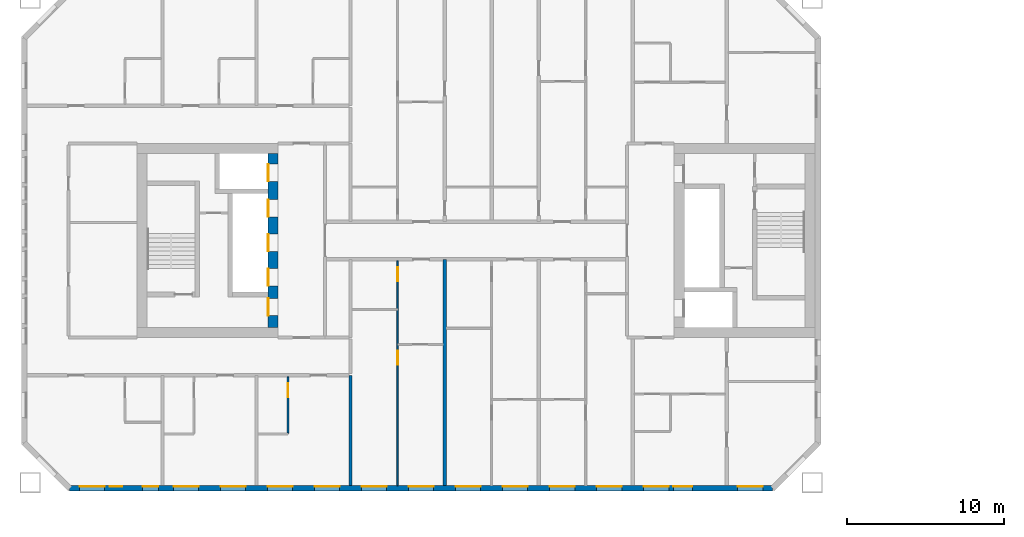
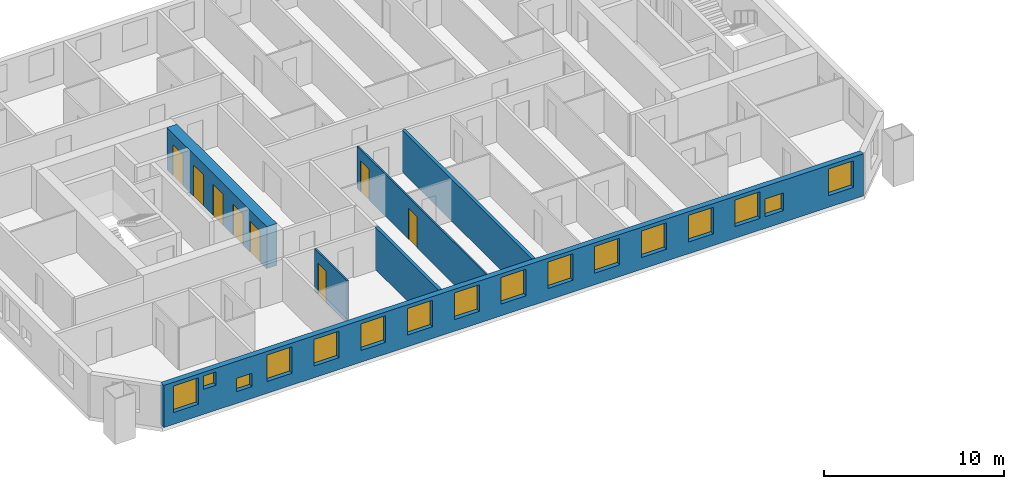
# One storey, part 3 of 17: 16 windows, 8 doors, 6 walls, 24 openings.
"""IFC4 building model written with IfcOpenShell, lengths in metres."""

from ifc_helpers import new_model, si_unit, direction, frame, frame_2d, origin, place, context, subcontext, project, spatial, rectangle, extrude, material, layer, layer_set, type_object, element, fill, save


model = new_model("IFC4")

# Units and contexts
model_context = context("Model", 3, precision=1e-05, world=origin(), true_north=direction((0.0, 1.0)))
body_context = subcontext(model_context, "Body", "Model", "MODEL_VIEW")
ifc_project = project(units=[si_unit("LENGTHUNIT", "METRE"), si_unit("AREAUNIT", "SQUARE_METRE"), si_unit("VOLUMEUNIT", "CUBIC_METRE"), si_unit("PLANEANGLEUNIT", "RADIAN"), si_unit("MASSUNIT", "GRAM", prefix="KILO")], contexts=[model_context])

# Site, building, storey
site_placement = place(None, origin())
site = spatial("IfcSite", under=ifc_project, at=site_placement, CompositionType="ELEMENT")
building_placement = place(site_placement, origin())
building = spatial("IfcBuilding", under=site, at=building_placement, Name="Tuart Gate Housing", CompositionType="ELEMENT")
storey_placement = place(building_placement, frame((0.0, 0.0, 99.5)))
storey = spatial("IfcBuildingStorey", under=building, at=storey_placement, Name="L27", CompositionType="ELEMENT", Elevation=99.5)

# Wall, openings, windows
ifc_material_1 = material(Name="Brick", Category="masonry")
ifc_layer_1 = layer(ifc_material_1, 0.360107421875)
ifc_layer_set_1 = layer_set([ifc_layer_1], Name="Brick pier and spandrel wall 360")
wall_type_1 = type_object("IfcWallType", Name="Brick pier and spandrel wall 360", PredefinedType="STANDARD", material=ifc_layer_set_1)
wall_1_placement = place(storey_placement, frame((28.07470703125, 54.179931640625, 0.0), z_axis=(0.0, 0.0, 1.0), x_axis=(1.0, 0.0, 0.0)))
wall_1 = element("IfcWall", 1, at=wall_1_placement, inside=storey, type_object=wall_type_1, Name="External wall A-S L27", PredefinedType="STANDARD", context=body_context, shape_type="SweptSolid", body=[
    extrude(rectangle(XDim=44.850830078125, YDim=0.360107421875, at=frame_2d((22.42529296875, 0.0))), origin(), (0.0, 0.0, 1.0), 2.85009765625),
])
opening_1_placement = place(wall_1_placement, frame((0.62548828125, 0.0, 0.800048828125)))
opening_1 = element("IfcOpeningElement", 2, at=opening_1_placement, cuts=wall_1, Name="Opening W1", PredefinedType="OPENING", context=body_context, shape_type="SweptSolid", body=[
    extrude(rectangle(XDim=1.60009765625, YDim=1.800048828125, at=frame_2d((0.800048828125, 0.89990234375))), frame((0.0, 0.18994140625, 0.0), z_axis=(0.0, -1.0, 0.0), x_axis=(1.0, 0.0, 0.0)), (0.0, 0.0, 1.0), 0.380126953125),
])
opening_2_placement = place(wall_1_placement, frame((2.550048828125, 0.0, 1.699951171875)))
opening_2 = element("IfcOpeningElement", 3, at=opening_2_placement, cuts=wall_1, Name="Opening W1V", PredefinedType="OPENING", context=body_context, shape_type="SweptSolid", body=[
    extrude(rectangle(XDim=0.800048828125, YDim=0.89990234375, at=frame_2d((0.39990234375, 0.449951171875))), frame((0.0, 0.18994140625, 0.0), z_axis=(0.0, -1.0, 0.0), x_axis=(1.0, 0.0, 0.0)), (0.0, 0.0, 1.0), 0.380126953125),
])
opening_3_placement = place(wall_1_placement, frame((6.62548828125, 0.0, 0.800048828125)))
opening_3 = element("IfcOpeningElement", 4, at=opening_3_placement, cuts=wall_1, Name="Opening W1", PredefinedType="OPENING", context=body_context, shape_type="SweptSolid", body=[
    extrude(rectangle(XDim=1.60009765625, YDim=1.800048828125, at=frame_2d((0.800048828125, 0.89990234375))), frame((0.0, 0.18994140625, 0.0), z_axis=(0.0, -1.0, 0.0), x_axis=(1.0, 0.0, 0.0)), (0.0, 0.0, 1.0), 0.380126953125),
])
opening_4_placement = place(wall_1_placement, frame((9.62548828125, 0.0, 0.800048828125)))
opening_4 = element("IfcOpeningElement", 5, at=opening_4_placement, cuts=wall_1, Name="Opening W1", PredefinedType="OPENING", context=body_context, shape_type="SweptSolid", body=[
    extrude(rectangle(XDim=1.60009765625, YDim=1.800048828125, at=frame_2d((0.800048828125, 0.89990234375))), frame((0.0, 0.18994140625, 0.0), z_axis=(0.0, -1.0, 0.0), x_axis=(1.0, 0.0, 0.0)), (0.0, 0.0, 1.0), 0.380126953125),
])
opening_5_placement = place(wall_1_placement, frame((12.62548828125, 0.0, 0.800048828125)))
opening_5 = element("IfcOpeningElement", 6, at=opening_5_placement, cuts=wall_1, Name="Opening W1", PredefinedType="OPENING", context=body_context, shape_type="SweptSolid", body=[
    extrude(rectangle(XDim=1.60009765625, YDim=1.800048828125, at=frame_2d((0.800048828125, 0.89990234375))), frame((0.0, 0.18994140625, 0.0), z_axis=(0.0, -1.0, 0.0), x_axis=(1.0, 0.0, 0.0)), (0.0, 0.0, 1.0), 0.380126953125),
])
opening_6_placement = place(wall_1_placement, frame((15.62548828125, 0.0, 0.800048828125)))
opening_6 = element("IfcOpeningElement", 7, at=opening_6_placement, cuts=wall_1, Name="Opening W1", PredefinedType="OPENING", context=body_context, shape_type="SweptSolid", body=[
    extrude(rectangle(XDim=1.60009765625, YDim=1.800048828125, at=frame_2d((0.800048828125, 0.89990234375))), frame((0.0, 0.18994140625, 0.0), z_axis=(0.0, -1.0, 0.0), x_axis=(1.0, 0.0, 0.0)), (0.0, 0.0, 1.0), 0.380126953125),
])
opening_7_placement = place(wall_1_placement, frame((18.62548828125, 0.0, 0.800048828125)))
opening_7 = element("IfcOpeningElement", 8, at=opening_7_placement, cuts=wall_1, Name="Opening W1", PredefinedType="OPENING", context=body_context, shape_type="SweptSolid", body=[
    extrude(rectangle(XDim=1.60009765625, YDim=1.800048828125, at=frame_2d((0.800048828125, 0.89990234375))), frame((0.0, 0.18994140625, 0.0), z_axis=(0.0, -1.0, 0.0), x_axis=(1.0, 0.0, 0.0)), (0.0, 0.0, 1.0), 0.380126953125),
])
opening_8_placement = place(wall_1_placement, frame((21.62548828125, 0.0, 0.800048828125)))
opening_8 = element("IfcOpeningElement", 9, at=opening_8_placement, cuts=wall_1, Name="Opening W1", PredefinedType="OPENING", context=body_context, shape_type="SweptSolid", body=[
    extrude(rectangle(XDim=1.60009765625, YDim=1.800048828125, at=frame_2d((0.800048828125, 0.89990234375))), frame((0.0, 0.18994140625, 0.0), z_axis=(0.0, -1.0, 0.0), x_axis=(1.0, 0.0, 0.0)), (0.0, 0.0, 1.0), 0.380126953125),
])
opening_9_placement = place(wall_1_placement, frame((24.62548828125, 0.0, 0.800048828125)))
opening_9 = element("IfcOpeningElement", 10, at=opening_9_placement, cuts=wall_1, Name="Opening W1", PredefinedType="OPENING", context=body_context, shape_type="SweptSolid", body=[
    extrude(rectangle(XDim=1.60009765625, YDim=1.800048828125, at=frame_2d((0.800048828125, 0.89990234375))), frame((0.0, 0.18994140625, 0.0), z_axis=(0.0, -1.0, 0.0), x_axis=(1.0, 0.0, 0.0)), (0.0, 0.0, 1.0), 0.380126953125),
])
opening_10_placement = place(wall_1_placement, frame((27.62548828125, 0.0, 0.800048828125)))
opening_10 = element("IfcOpeningElement", 11, at=opening_10_placement, cuts=wall_1, Name="Opening W1", PredefinedType="OPENING", context=body_context, shape_type="SweptSolid", body=[
    extrude(rectangle(XDim=1.60009765625, YDim=1.800048828125, at=frame_2d((0.800048828125, 0.89990234375))), frame((0.0, 0.18994140625, 0.0), z_axis=(0.0, -1.0, 0.0), x_axis=(1.0, 0.0, 0.0)), (0.0, 0.0, 1.0), 0.380126953125),
])
opening_11_placement = place(wall_1_placement, frame((30.62548828125, 0.0, 0.800048828125)))
opening_11 = element("IfcOpeningElement", 12, at=opening_11_placement, cuts=wall_1, Name="Opening W1", PredefinedType="OPENING", context=body_context, shape_type="SweptSolid", body=[
    extrude(rectangle(XDim=1.60009765625, YDim=1.800048828125, at=frame_2d((0.800048828125, 0.89990234375))), frame((0.0, 0.18994140625, 0.0), z_axis=(0.0, -1.0, 0.0), x_axis=(1.0, 0.0, 0.0)), (0.0, 0.0, 1.0), 0.380126953125),
])
opening_12_placement = place(wall_1_placement, frame((33.62548828125, 0.0, 0.800048828125)))
opening_12 = element("IfcOpeningElement", 13, at=opening_12_placement, cuts=wall_1, Name="Opening W1", PredefinedType="OPENING", context=body_context, shape_type="SweptSolid", body=[
    extrude(rectangle(XDim=1.60009765625, YDim=1.800048828125, at=frame_2d((0.800048828125, 0.89990234375))), frame((0.0, 0.18994140625, 0.0), z_axis=(0.0, -1.0, 0.0), x_axis=(1.0, 0.0, 0.0)), (0.0, 0.0, 1.0), 0.380126953125),
])
opening_13_placement = place(wall_1_placement, frame((36.62548828125, 0.0, 0.800048828125)))
opening_13 = element("IfcOpeningElement", 14, at=opening_13_placement, cuts=wall_1, Name="Opening W1", PredefinedType="OPENING", context=body_context, shape_type="SweptSolid", body=[
    extrude(rectangle(XDim=1.60009765625, YDim=1.800048828125, at=frame_2d((0.800048828125, 0.89990234375))), frame((0.0, 0.18994140625, 0.0), z_axis=(0.0, -1.0, 0.0), x_axis=(1.0, 0.0, 0.0)), (0.0, 0.0, 1.0), 0.380126953125),
])
opening_14_placement = place(wall_1_placement, frame((38.525390625, 0.0, 0.800048828125)))
opening_14 = element("IfcOpeningElement", 15, at=opening_14_placement, cuts=wall_1, Name="Opening W1N", PredefinedType="OPENING", context=body_context, shape_type="SweptSolid", body=[
    extrude(rectangle(XDim=1.199951171875, YDim=1.199951171875, at=frame_2d((0.60009765625, 0.60009765625))), frame((0.0, 0.18994140625, 0.0), z_axis=(0.0, -1.0, 0.0), x_axis=(1.0, 0.0, 0.0)), (0.0, 0.0, 1.0), 0.380126953125),
])
opening_15_placement = place(wall_1_placement, frame((42.62548828125, 0.0, 0.800048828125)))
opening_15 = element("IfcOpeningElement", 16, at=opening_15_placement, cuts=wall_1, Name="Opening W1", PredefinedType="OPENING", context=body_context, shape_type="SweptSolid", body=[
    extrude(rectangle(XDim=1.60009765625, YDim=1.800048828125, at=frame_2d((0.800048828125, 0.89990234375))), frame((0.0, 0.18994140625, 0.0), z_axis=(0.0, -1.0, 0.0), x_axis=(1.0, 0.0, 0.0)), (0.0, 0.0, 1.0), 0.380126953125),
])
opening_16_placement = place(wall_1_placement, frame((4.64990234375, 0.0, 0.800048828125)))
opening_16 = element("IfcOpeningElement", 17, at=opening_16_placement, cuts=wall_1, Name="Opening W1U", PredefinedType="OPENING", context=body_context, shape_type="SweptSolid", body=[
    extrude(rectangle(XDim=1.0, YDim=0.89990234375, at=frame_2d((0.5, 0.449951171875))), frame((0.0, 0.18994140625, 0.0), z_axis=(0.0, -1.0, 0.0), x_axis=(1.0, 0.0, 0.0)), (0.0, 0.0, 1.0), 0.380126953125),
])
ifc_material_2 = material(Name="Aluminium frame with clear glass", Category="aluminium")
window_type_1 = type_object("IfcWindowType", Name="Punched window 1000 x 900", PartitioningType="SINGLE_PANEL", PredefinedType="WINDOW", material=ifc_material_2)
window_1_placement = place(opening_16_placement, origin())
window_1 = element("IfcWindow", 18, at=window_1_placement, inside=storey, type_object=window_type_1, Name="Window W1U", OverallHeight=0.89990234375, OverallWidth=1.0, PartitioningType="SINGLE_PANEL", PredefinedType="WINDOW", context=body_context, shape_type="SweptSolid", body=[
    extrude(rectangle(XDim=1.0, YDim=0.89990234375, at=frame_2d((0.5, 0.449951171875))), frame((0.0, 0.150146484375, 0.0), z_axis=(0.0, -1.0, 0.0), x_axis=(1.0, 0.0, 0.0)), (0.0, 0.0, 1.0), 0.06005859375),
])
fill(opening_16, window_1)
ifc_material_3 = material(Name="Aluminium frame with clear glass", Category="aluminium")
window_type_2 = type_object("IfcWindowType", Name="Punched window 1200 x 1200", PartitioningType="SINGLE_PANEL", PredefinedType="WINDOW", material=ifc_material_3)
window_2_placement = place(opening_14_placement, origin())
window_2 = element("IfcWindow", 19, at=window_2_placement, inside=storey, type_object=window_type_2, Name="Window W1N", OverallHeight=1.199951171875, OverallWidth=1.199951171875, PartitioningType="SINGLE_PANEL", PredefinedType="WINDOW", context=body_context, shape_type="SweptSolid", body=[
    extrude(rectangle(XDim=1.199951171875, YDim=1.199951171875, at=frame_2d((0.60009765625, 0.60009765625))), frame((0.0, 0.150146484375, 0.0), z_axis=(0.0, -1.0, 0.0), x_axis=(1.0, 0.0, 0.0)), (0.0, 0.0, 1.0), 0.06005859375),
])
fill(opening_14, window_2)
ifc_material_4 = material(Name="Aluminium frame with clear glass", Category="aluminium")
window_type_3 = type_object("IfcWindowType", Name="Punched window 1600 x 1800", PartitioningType="SINGLE_PANEL", PredefinedType="WINDOW", material=ifc_material_4)
window_3_placement = place(opening_1_placement, origin())
window_3 = element("IfcWindow", 20, at=window_3_placement, inside=storey, type_object=window_type_3, Name="Window W1", OverallHeight=1.800048828125, OverallWidth=1.60009765625, PartitioningType="SINGLE_PANEL", PredefinedType="WINDOW", context=body_context, shape_type="SweptSolid", body=[
    extrude(rectangle(XDim=1.60009765625, YDim=1.800048828125, at=frame_2d((0.800048828125, 0.89990234375))), frame((0.0, 0.150146484375, 0.0), z_axis=(0.0, -1.0, 0.0), x_axis=(1.0, 0.0, 0.0)), (0.0, 0.0, 1.0), 0.06005859375),
])
fill(opening_1, window_3)
window_4_placement = place(opening_3_placement, origin())
window_4 = element("IfcWindow", 21, at=window_4_placement, inside=storey, type_object=window_type_3, Name="Window W1", OverallHeight=1.800048828125, OverallWidth=1.60009765625, PartitioningType="SINGLE_PANEL", PredefinedType="WINDOW", context=body_context, shape_type="SweptSolid", body=[
    extrude(rectangle(XDim=1.60009765625, YDim=1.800048828125, at=frame_2d((0.800048828125, 0.89990234375))), frame((0.0, 0.150146484375, 0.0), z_axis=(0.0, -1.0, 0.0), x_axis=(1.0, 0.0, 0.0)), (0.0, 0.0, 1.0), 0.06005859375),
])
fill(opening_3, window_4)
window_5_placement = place(opening_4_placement, origin())
window_5 = element("IfcWindow", 22, at=window_5_placement, inside=storey, type_object=window_type_3, Name="Window W1", OverallHeight=1.800048828125, OverallWidth=1.60009765625, PartitioningType="SINGLE_PANEL", PredefinedType="WINDOW", context=body_context, shape_type="SweptSolid", body=[
    extrude(rectangle(XDim=1.60009765625, YDim=1.800048828125, at=frame_2d((0.800048828125, 0.89990234375))), frame((0.0, 0.150146484375, 0.0), z_axis=(0.0, -1.0, 0.0), x_axis=(1.0, 0.0, 0.0)), (0.0, 0.0, 1.0), 0.06005859375),
])
fill(opening_4, window_5)
window_6_placement = place(opening_5_placement, origin())
window_6 = element("IfcWindow", 23, at=window_6_placement, inside=storey, type_object=window_type_3, Name="Window W1", OverallHeight=1.800048828125, OverallWidth=1.60009765625, PartitioningType="SINGLE_PANEL", PredefinedType="WINDOW", context=body_context, shape_type="SweptSolid", body=[
    extrude(rectangle(XDim=1.60009765625, YDim=1.800048828125, at=frame_2d((0.800048828125, 0.89990234375))), frame((0.0, 0.150146484375, 0.0), z_axis=(0.0, -1.0, 0.0), x_axis=(1.0, 0.0, 0.0)), (0.0, 0.0, 1.0), 0.06005859375),
])
fill(opening_5, window_6)
window_7_placement = place(opening_6_placement, origin())
window_7 = element("IfcWindow", 24, at=window_7_placement, inside=storey, type_object=window_type_3, Name="Window W1", OverallHeight=1.800048828125, OverallWidth=1.60009765625, PartitioningType="SINGLE_PANEL", PredefinedType="WINDOW", context=body_context, shape_type="SweptSolid", body=[
    extrude(rectangle(XDim=1.60009765625, YDim=1.800048828125, at=frame_2d((0.800048828125, 0.89990234375))), frame((0.0, 0.150146484375, 0.0), z_axis=(0.0, -1.0, 0.0), x_axis=(1.0, 0.0, 0.0)), (0.0, 0.0, 1.0), 0.06005859375),
])
fill(opening_6, window_7)
window_8_placement = place(opening_7_placement, origin())
window_8 = element("IfcWindow", 25, at=window_8_placement, inside=storey, type_object=window_type_3, Name="Window W1", OverallHeight=1.800048828125, OverallWidth=1.60009765625, PartitioningType="SINGLE_PANEL", PredefinedType="WINDOW", context=body_context, shape_type="SweptSolid", body=[
    extrude(rectangle(XDim=1.60009765625, YDim=1.800048828125, at=frame_2d((0.800048828125, 0.89990234375))), frame((0.0, 0.150146484375, 0.0), z_axis=(0.0, -1.0, 0.0), x_axis=(1.0, 0.0, 0.0)), (0.0, 0.0, 1.0), 0.06005859375),
])
fill(opening_7, window_8)
window_9_placement = place(opening_8_placement, origin())
window_9 = element("IfcWindow", 26, at=window_9_placement, inside=storey, type_object=window_type_3, Name="Window W1", OverallHeight=1.800048828125, OverallWidth=1.60009765625, PartitioningType="SINGLE_PANEL", PredefinedType="WINDOW", context=body_context, shape_type="SweptSolid", body=[
    extrude(rectangle(XDim=1.60009765625, YDim=1.800048828125, at=frame_2d((0.800048828125, 0.89990234375))), frame((0.0, 0.150146484375, 0.0), z_axis=(0.0, -1.0, 0.0), x_axis=(1.0, 0.0, 0.0)), (0.0, 0.0, 1.0), 0.06005859375),
])
fill(opening_8, window_9)
window_10_placement = place(opening_9_placement, origin())
window_10 = element("IfcWindow", 27, at=window_10_placement, inside=storey, type_object=window_type_3, Name="Window W1", OverallHeight=1.800048828125, OverallWidth=1.60009765625, PartitioningType="SINGLE_PANEL", PredefinedType="WINDOW", context=body_context, shape_type="SweptSolid", body=[
    extrude(rectangle(XDim=1.60009765625, YDim=1.800048828125, at=frame_2d((0.800048828125, 0.89990234375))), frame((0.0, 0.150146484375, 0.0), z_axis=(0.0, -1.0, 0.0), x_axis=(1.0, 0.0, 0.0)), (0.0, 0.0, 1.0), 0.06005859375),
])
fill(opening_9, window_10)
window_11_placement = place(opening_10_placement, origin())
window_11 = element("IfcWindow", 28, at=window_11_placement, inside=storey, type_object=window_type_3, Name="Window W1", OverallHeight=1.800048828125, OverallWidth=1.60009765625, PartitioningType="SINGLE_PANEL", PredefinedType="WINDOW", context=body_context, shape_type="SweptSolid", body=[
    extrude(rectangle(XDim=1.60009765625, YDim=1.800048828125, at=frame_2d((0.800048828125, 0.89990234375))), frame((0.0, 0.150146484375, 0.0), z_axis=(0.0, -1.0, 0.0), x_axis=(1.0, 0.0, 0.0)), (0.0, 0.0, 1.0), 0.06005859375),
])
fill(opening_10, window_11)
window_12_placement = place(opening_11_placement, origin())
window_12 = element("IfcWindow", 29, at=window_12_placement, inside=storey, type_object=window_type_3, Name="Window W1", OverallHeight=1.800048828125, OverallWidth=1.60009765625, PartitioningType="SINGLE_PANEL", PredefinedType="WINDOW", context=body_context, shape_type="SweptSolid", body=[
    extrude(rectangle(XDim=1.60009765625, YDim=1.800048828125, at=frame_2d((0.800048828125, 0.89990234375))), frame((0.0, 0.150146484375, 0.0), z_axis=(0.0, -1.0, 0.0), x_axis=(1.0, 0.0, 0.0)), (0.0, 0.0, 1.0), 0.06005859375),
])
fill(opening_11, window_12)
window_13_placement = place(opening_12_placement, origin())
window_13 = element("IfcWindow", 30, at=window_13_placement, inside=storey, type_object=window_type_3, Name="Window W1", OverallHeight=1.800048828125, OverallWidth=1.60009765625, PartitioningType="SINGLE_PANEL", PredefinedType="WINDOW", context=body_context, shape_type="SweptSolid", body=[
    extrude(rectangle(XDim=1.60009765625, YDim=1.800048828125, at=frame_2d((0.800048828125, 0.89990234375))), frame((0.0, 0.150146484375, 0.0), z_axis=(0.0, -1.0, 0.0), x_axis=(1.0, 0.0, 0.0)), (0.0, 0.0, 1.0), 0.06005859375),
])
fill(opening_12, window_13)
window_14_placement = place(opening_13_placement, origin())
window_14 = element("IfcWindow", 31, at=window_14_placement, inside=storey, type_object=window_type_3, Name="Window W1", OverallHeight=1.800048828125, OverallWidth=1.60009765625, PartitioningType="SINGLE_PANEL", PredefinedType="WINDOW", context=body_context, shape_type="SweptSolid", body=[
    extrude(rectangle(XDim=1.60009765625, YDim=1.800048828125, at=frame_2d((0.800048828125, 0.89990234375))), frame((0.0, 0.150146484375, 0.0), z_axis=(0.0, -1.0, 0.0), x_axis=(1.0, 0.0, 0.0)), (0.0, 0.0, 1.0), 0.06005859375),
])
fill(opening_13, window_14)
window_15_placement = place(opening_15_placement, origin())
window_15 = element("IfcWindow", 32, at=window_15_placement, inside=storey, type_object=window_type_3, Name="Window W1", OverallHeight=1.800048828125, OverallWidth=1.60009765625, PartitioningType="SINGLE_PANEL", PredefinedType="WINDOW", context=body_context, shape_type="SweptSolid", body=[
    extrude(rectangle(XDim=1.60009765625, YDim=1.800048828125, at=frame_2d((0.800048828125, 0.89990234375))), frame((0.0, 0.150146484375, 0.0), z_axis=(0.0, -1.0, 0.0), x_axis=(1.0, 0.0, 0.0)), (0.0, 0.0, 1.0), 0.06005859375),
])
fill(opening_15, window_15)
ifc_material_5 = material(Name="Aluminium frame with clear glass", Category="aluminium")
window_type_4 = type_object("IfcWindowType", Name="Punched window 800 x 900", PartitioningType="SINGLE_PANEL", PredefinedType="WINDOW", material=ifc_material_5)
window_16_placement = place(opening_2_placement, origin())
window_16 = element("IfcWindow", 33, at=window_16_placement, inside=storey, type_object=window_type_4, Name="Window W1V", OverallHeight=0.89990234375, OverallWidth=0.800048828125, PartitioningType="SINGLE_PANEL", PredefinedType="WINDOW", context=body_context, shape_type="SweptSolid", body=[
    extrude(rectangle(XDim=0.800048828125, YDim=0.89990234375, at=frame_2d((0.39990234375, 0.449951171875))), frame((0.0, 0.150146484375, 0.0), z_axis=(0.0, -1.0, 0.0), x_axis=(1.0, 0.0, 0.0)), (0.0, 0.0, 1.0), 0.06005859375),
])
fill(opening_2, window_16)

# Wall, openings, doors
ifc_material_6 = material(Name="Concrete C50", Category="concrete")
ifc_layer_2 = layer(ifc_material_6, 0.64990234375)
ifc_layer_set_2 = layer_set([ifc_layer_2], Name="Core wall 650 C50")
wall_type_2 = type_object("IfcWallType", Name="Core wall 650 C50", PredefinedType="SHEAR", material=ifc_layer_set_2)
wall_2_placement = place(storey_placement, frame((41.034912109375, 75.550048828125, 0.0), z_axis=(0.0, 0.0, 1.0), x_axis=(0.0, -1.0, 0.0)))
wall_2 = element("IfcWall", 34, at=wall_2_placement, inside=storey, type_object=wall_type_2, Name="Core wall AK front", PredefinedType="SHEAR", context=body_context, shape_type="SweptSolid", body=[
    extrude(rectangle(XDim=11.10009765625, YDim=0.64990234375, at=frame_2d((5.550048828125, 0.0))), origin(), (0.0, 0.0, 1.0), 2.85009765625),
])
opening_17_placement = place(wall_2_placement, frame((0.675048828125, 0.0, 0.0)))
opening_17 = element("IfcOpeningElement", 35, at=opening_17_placement, cuts=wall_2, Name="Opening LD-FA2", PredefinedType="OPENING", context=body_context, shape_type="SweptSolid", body=[
    extrude(rectangle(XDim=1.10009765625, YDim=2.10009765625, at=frame_2d((0.550048828125, 1.050048828125))), frame((0.0, 0.3349609375, 0.0), z_axis=(0.0, -1.0, 0.0), x_axis=(1.0, 0.0, 0.0)), (0.0, 0.0, 1.0), 0.669921875),
])
opening_18_placement = place(wall_2_placement, frame((2.949951171875, 0.0, 0.0)))
opening_18 = element("IfcOpeningElement", 36, at=opening_18_placement, cuts=wall_2, Name="Opening LD-LA4", PredefinedType="OPENING", context=body_context, shape_type="SweptSolid", body=[
    extrude(rectangle(XDim=1.10009765625, YDim=2.10009765625, at=frame_2d((0.550048828125, 1.050048828125))), frame((0.0, 0.3349609375, 0.0), z_axis=(0.0, -1.0, 0.0), x_axis=(1.0, 0.0, 0.0)), (0.0, 0.0, 1.0), 0.669921875),
])
opening_19_placement = place(wall_2_placement, frame((5.14990234375, 0.0, 0.0)))
opening_19 = element("IfcOpeningElement", 37, at=opening_19_placement, cuts=wall_2, Name="Opening LD-LA5", PredefinedType="OPENING", context=body_context, shape_type="SweptSolid", body=[
    extrude(rectangle(XDim=1.10009765625, YDim=2.10009765625, at=frame_2d((0.550048828125, 1.050048828125))), frame((0.0, 0.3349609375, 0.0), z_axis=(0.0, -1.0, 0.0), x_axis=(1.0, 0.0, 0.0)), (0.0, 0.0, 1.0), 0.669921875),
])
opening_20_placement = place(wall_2_placement, frame((7.35009765625, 0.0, 0.0)))
opening_20 = element("IfcOpeningElement", 38, at=opening_20_placement, cuts=wall_2, Name="Opening LD-LA6", PredefinedType="OPENING", context=body_context, shape_type="SweptSolid", body=[
    extrude(rectangle(XDim=1.10009765625, YDim=2.10009765625, at=frame_2d((0.550048828125, 1.050048828125))), frame((0.0, 0.3349609375, 0.0), z_axis=(0.0, -1.0, 0.0), x_axis=(1.0, 0.0, 0.0)), (0.0, 0.0, 1.0), 0.669921875),
])
opening_21_placement = place(wall_2_placement, frame((9.25, 0.0, 0.0)))
opening_21 = element("IfcOpeningElement", 39, at=opening_21_placement, cuts=wall_2, Name="Opening D1094", PredefinedType="OPENING", context=body_context, shape_type="SweptSolid", body=[
    extrude(rectangle(XDim=1.10009765625, YDim=2.10009765625, at=frame_2d((0.550048828125, 1.050048828125))), frame((0.0, 0.3349609375, 0.0), z_axis=(0.0, -1.0, 0.0), x_axis=(1.0, 0.0, 0.0)), (0.0, 0.0, 1.0), 0.669921875),
])
ifc_material_7 = material(Name="Stainless steel", Category="steel")
door_type_1 = type_object("IfcDoorType", Name="Landing door 1100 x 2100", OperationType="DOUBLE_DOOR_SLIDING", PredefinedType="DOOR", material=ifc_material_7)
door_1_placement = place(opening_17_placement, origin())
door_1 = element("IfcDoor", 40, at=door_1_placement, inside=storey, type_object=door_type_1, Name="Lift landing door FA2", OperationType="DOUBLE_DOOR_SLIDING", OverallHeight=2.10009765625, OverallWidth=1.10009765625, PredefinedType="DOOR", context=body_context, shape_type="SweptSolid", body=[
    extrude(rectangle(XDim=1.10009765625, YDim=2.10009765625, at=frame_2d((0.550048828125, 1.050048828125))), frame((0.0, -0.259765625, 0.0), z_axis=(0.0, -1.0, 0.0), x_axis=(1.0, 0.0, 0.0)), (0.0, 0.0, 1.0), 0.050048828125),
])
fill(opening_17, door_1)
door_2_placement = place(opening_18_placement, origin())
door_2 = element("IfcDoor", 41, at=door_2_placement, inside=storey, type_object=door_type_1, Name="Lift landing door LA4", OperationType="DOUBLE_DOOR_SLIDING", OverallHeight=2.10009765625, OverallWidth=1.10009765625, PredefinedType="DOOR", context=body_context, shape_type="SweptSolid", body=[
    extrude(rectangle(XDim=1.10009765625, YDim=2.10009765625, at=frame_2d((0.550048828125, 1.050048828125))), frame((0.0, -0.259765625, 0.0), z_axis=(0.0, -1.0, 0.0), x_axis=(1.0, 0.0, 0.0)), (0.0, 0.0, 1.0), 0.050048828125),
])
fill(opening_18, door_2)
door_3_placement = place(opening_19_placement, origin())
door_3 = element("IfcDoor", 42, at=door_3_placement, inside=storey, type_object=door_type_1, Name="Lift landing door LA5", OperationType="DOUBLE_DOOR_SLIDING", OverallHeight=2.10009765625, OverallWidth=1.10009765625, PredefinedType="DOOR", context=body_context, shape_type="SweptSolid", body=[
    extrude(rectangle(XDim=1.10009765625, YDim=2.10009765625, at=frame_2d((0.550048828125, 1.050048828125))), frame((0.0, -0.259765625, 0.0), z_axis=(0.0, -1.0, 0.0), x_axis=(1.0, 0.0, 0.0)), (0.0, 0.0, 1.0), 0.050048828125),
])
fill(opening_19, door_3)
door_4_placement = place(opening_20_placement, origin())
door_4 = element("IfcDoor", 43, at=door_4_placement, inside=storey, type_object=door_type_1, Name="Lift landing door LA6", OperationType="DOUBLE_DOOR_SLIDING", OverallHeight=2.10009765625, OverallWidth=1.10009765625, PredefinedType="DOOR", context=body_context, shape_type="SweptSolid", body=[
    extrude(rectangle(XDim=1.10009765625, YDim=2.10009765625, at=frame_2d((0.550048828125, 1.050048828125))), frame((0.0, -0.259765625, 0.0), z_axis=(0.0, -1.0, 0.0), x_axis=(1.0, 0.0, 0.0)), (0.0, 0.0, 1.0), 0.050048828125),
])
fill(opening_20, door_4)
ifc_material_8 = material(Name="Steel fire door", Category="steel")
door_type_2 = type_object("IfcDoorType", Name="Lobby door 1100 x 2100 RH", OperationType="SINGLE_SWING_RIGHT", PredefinedType="DOOR", material=ifc_material_8)
door_5_placement = place(opening_21_placement, frame((1.10009765625, 0.0, 0.0), z_axis=(0.0, 0.0, 1.0), x_axis=(-1.0, 0.0, 0.0)))
door_5 = element("IfcDoor", 44, at=door_5_placement, inside=storey, type_object=door_type_2, Name="Lobby entry door AK.EN", OperationType="SINGLE_SWING_RIGHT", OverallHeight=2.10009765625, OverallWidth=1.10009765625, PredefinedType="DOOR", context=body_context, shape_type="SweptSolid", body=[
    extrude(rectangle(XDim=1.10009765625, YDim=2.10009765625, at=frame_2d((0.550048828125, 1.050048828125))), frame((0.0, 0.309814453125, 0.0), z_axis=(0.0, -1.0, 0.0), x_axis=(1.0, 0.0, 0.0)), (0.0, 0.0, 1.0), 0.050048828125),
])
fill(opening_21, door_5)

# Wall, opening, door
ifc_material_9 = material(Name="Gypsum board on steel studs", Category="steel")
ifc_layer_3 = layer(ifc_material_9, 0.10009765625)
ifc_layer_set_3 = layer_set([ifc_layer_3], Name="Partition 100")
wall_type_3 = type_object("IfcWallType", Name="Partition 100", PredefinedType="PARTITIONING", material=ifc_layer_set_3)
wall_3_placement = place(storey_placement, frame((42.0, 57.699951171875, 0.0), z_axis=(0.0, 0.0, 1.0), x_axis=(0.0, 1.0, 0.0)))
wall_3 = element("IfcWall", 45, at=wall_3_placement, inside=storey, type_object=wall_type_3, Name="Partition 100", PredefinedType="PARTITIONING", context=body_context, shape_type="SweptSolid", body=[
    extrude(rectangle(XDim=3.60009765625, YDim=0.10009765625, at=frame_2d((1.800048828125, 0.0))), origin(), (0.0, 0.0, 1.0), 2.85009765625),
])
opening_22_placement = place(wall_3_placement, frame((2.300048828125, 0.0, 0.0)))
opening_22 = element("IfcOpeningElement", 46, at=opening_22_placement, cuts=wall_3, Name="Opening D1122", PredefinedType="OPENING", context=body_context, shape_type="SweptSolid", body=[
    extrude(rectangle(XDim=0.89990234375, YDim=2.10009765625, at=frame_2d((0.449951171875, 1.050048828125))), frame((0.0, 0.06005859375, 0.0), z_axis=(0.0, -1.0, 0.0), x_axis=(1.0, 0.0, 0.0)), (0.0, 0.0, 1.0), 0.1201171875),
])
ifc_material_10 = material(Name="Timber door leaf in steel frame", Category="steel")
door_type_3 = type_object("IfcDoorType", Name="Bathroom door 900 RH", OperationType="SINGLE_SWING_RIGHT", PredefinedType="DOOR", material=ifc_material_10)
door_6_placement = place(opening_22_placement, origin())
door_6 = element("IfcDoor", 47, at=door_6_placement, inside=storey, type_object=door_type_3, Name="Bathroom door", OperationType="SINGLE_SWING_RIGHT", OverallHeight=2.10009765625, OverallWidth=0.89990234375, PredefinedType="DOOR", context=body_context, shape_type="SweptSolid", body=[
    extrude(rectangle(XDim=0.89990234375, YDim=2.10009765625, at=frame_2d((0.449951171875, 1.050048828125))), frame((0.0, 0.02490234375, 0.0), z_axis=(0.0, -1.0, 0.0), x_axis=(1.0, 0.0, 0.0)), (0.0, 0.0, 1.0), 0.050048828125),
])
fill(opening_22, door_6)

# Wall, openings, doors
wall_4_placement = place(storey_placement, frame((49.0, 54.360107421875, 0.0), z_axis=(0.0, 0.0, 1.0), x_axis=(0.0, 1.0, 0.0)))
wall_4 = element("IfcWall", 48, at=wall_4_placement, inside=storey, type_object=wall_type_3, Name="Partition 100", PredefinedType="PARTITIONING", context=body_context, shape_type="SweptSolid", body=[
    extrude(rectangle(XDim=14.33984375, YDim=0.10009765625, at=frame_2d((7.169921875, 0.0))), origin(), (0.0, 0.0, 1.0), 2.85009765625),
])
opening_23_placement = place(wall_4_placement, frame((7.699951171875, 0.0, 0.0)))
opening_23 = element("IfcOpeningElement", 49, at=opening_23_placement, cuts=wall_4, Name="Opening D1108", PredefinedType="OPENING", context=body_context, shape_type="SweptSolid", body=[
    extrude(rectangle(XDim=0.89990234375, YDim=2.10009765625, at=frame_2d((0.449951171875, 1.050048828125))), frame((0.0, 0.06005859375, 0.0), z_axis=(0.0, -1.0, 0.0), x_axis=(1.0, 0.0, 0.0)), (0.0, 0.0, 1.0), 0.1201171875),
])
opening_24_placement = place(wall_4_placement, frame((13.0400390625, 0.0, 0.0)))
opening_24 = element("IfcOpeningElement", 50, at=opening_24_placement, cuts=wall_4, Name="Opening D1107", PredefinedType="OPENING", context=body_context, shape_type="SweptSolid", body=[
    extrude(rectangle(XDim=0.89990234375, YDim=2.10009765625, at=frame_2d((0.449951171875, 1.050048828125))), frame((0.0, 0.06005859375, 0.0), z_axis=(0.0, -1.0, 0.0), x_axis=(1.0, 0.0, 0.0)), (0.0, 0.0, 1.0), 0.1201171875),
])
door_7_placement = place(opening_24_placement, origin())
door_7 = element("IfcDoor", 51, at=door_7_placement, inside=storey, type_object=door_type_3, Name="Bathroom door", OperationType="SINGLE_SWING_RIGHT", OverallHeight=2.10009765625, OverallWidth=0.89990234375, PredefinedType="DOOR", context=body_context, shape_type="SweptSolid", body=[
    extrude(rectangle(XDim=0.89990234375, YDim=2.10009765625, at=frame_2d((0.449951171875, 1.050048828125))), frame((0.0, 0.02490234375, 0.0), z_axis=(0.0, -1.0, 0.0), x_axis=(1.0, 0.0, 0.0)), (0.0, 0.0, 1.0), 0.050048828125),
])
fill(opening_24, door_7)
ifc_material_11 = material(Name="Timber door leaf in steel frame", Category="steel")
door_type_4 = type_object("IfcDoorType", Name="Internal door 900 RH", OperationType="SINGLE_SWING_RIGHT", PredefinedType="DOOR", material=ifc_material_11)
door_8_placement = place(opening_23_placement, origin())
door_8 = element("IfcDoor", 52, at=door_8_placement, inside=storey, type_object=door_type_4, Name="Internal door", OperationType="SINGLE_SWING_RIGHT", OverallHeight=2.10009765625, OverallWidth=0.89990234375, PredefinedType="DOOR", context=body_context, shape_type="SweptSolid", body=[
    extrude(rectangle(XDim=0.89990234375, YDim=2.10009765625, at=frame_2d((0.449951171875, 1.050048828125))), frame((0.0, 0.02490234375, 0.0), z_axis=(0.0, -1.0, 0.0), x_axis=(1.0, 0.0, 0.0)), (0.0, 0.0, 1.0), 0.050048828125),
])
fill(opening_23, door_8)

# Walls
ifc_material_12 = material(Name="Concrete C40", Category="concrete")
ifc_layer_4 = layer(ifc_material_12, 0.199951171875)
ifc_layer_set_4 = layer_set([ifc_layer_4], Name="Party wall concrete C40 200")
wall_type_4 = type_object("IfcWallType", Name="Party wall concrete C40 200", PredefinedType="SOLIDWALL", material=ifc_layer_set_4)
wall_5_placement = place(storey_placement, frame((46.0, 54.360107421875, 0.0), z_axis=(0.0, 0.0, 1.0), x_axis=(0.0, 1.0, 0.0)))
element("IfcWall", 53, at=wall_5_placement, inside=storey, type_object=wall_type_4, Name="Party wall concrete C40 200", PredefinedType="SOLIDWALL", context=body_context, shape_type="SweptSolid", body=[
    extrude(rectangle(XDim=7.039794921875, YDim=0.199951171875, at=frame_2d((3.52001953125, 0.0))), origin(), (0.0, 0.0, 1.0), 2.85009765625),
])
wall_6_placement = place(storey_placement, frame((52.0, 54.360107421875, 0.0), z_axis=(0.0, 0.0, 1.0), x_axis=(0.0, 1.0, 0.0)))
element("IfcWall", 54, at=wall_6_placement, inside=storey, type_object=wall_type_4, Name="Party wall concrete C40 200", PredefinedType="SOLIDWALL", context=body_context, shape_type="SweptSolid", body=[
    extrude(rectangle(XDim=14.43994140625, YDim=0.199951171875, at=frame_2d((7.219970703125, 0.0))), origin(), (0.0, 0.0, 1.0), 2.85009765625),
])

save(model, "model.ifc")
